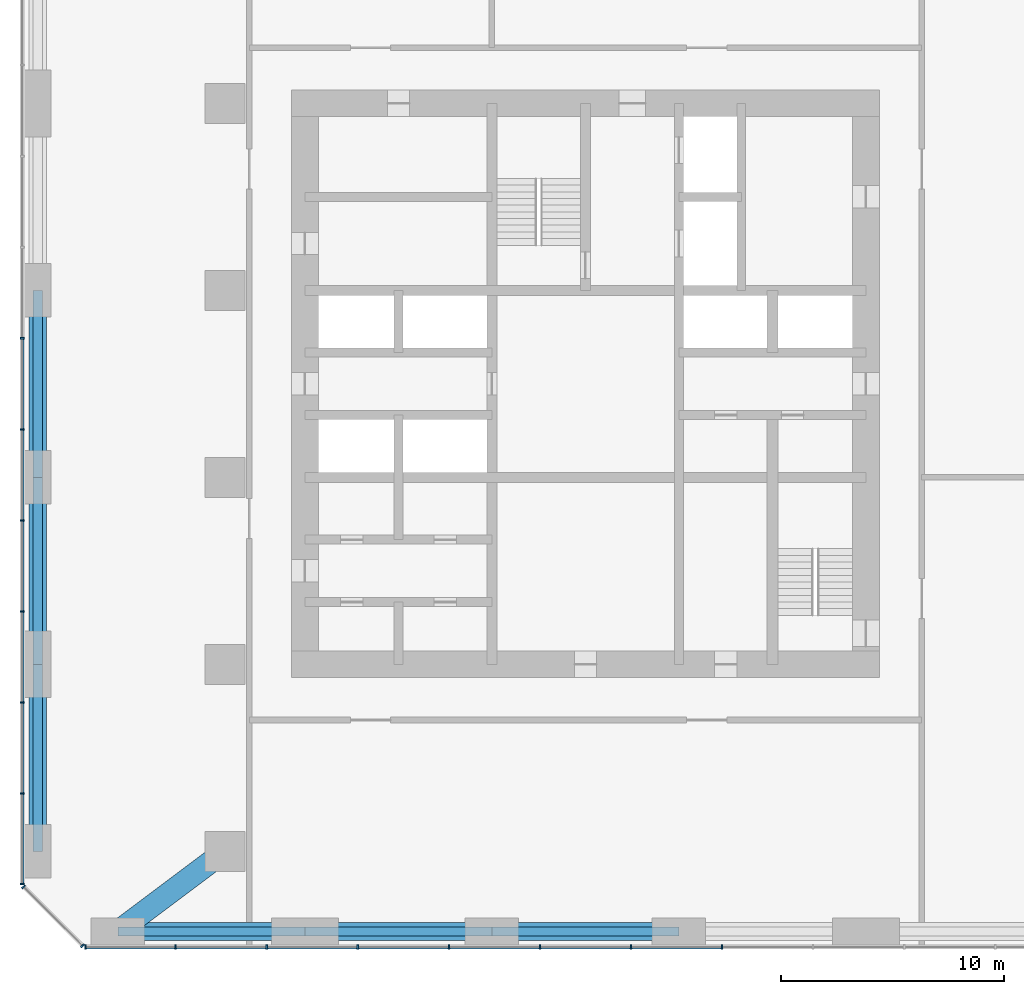
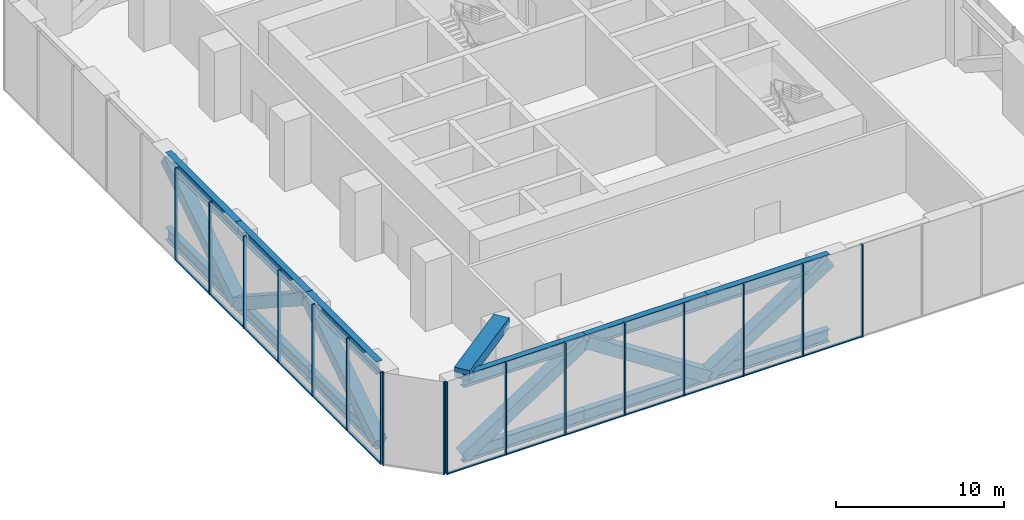
# One storey, part 2 of 10: 48 members, 1 beam, 3 elements without a shape of their own.
"""IFC4 building model written with IfcOpenShell, lengths in metres."""

from ifc_helpers import new_model, si_unit, direction, frame, origin, origin_2d, place, context, subcontext, project, spatial, rectangle, hollow_rectangle, i_section, extrude, material, material_profile, profile_set, type_object, element, aggregate, save


model = new_model("IFC4")

# Units and contexts
model_context = context("Model", 3, precision=1e-05, world=origin(), true_north=direction((0.0, 1.0)))
body_context = subcontext(model_context, "Body", "Model", "MODEL_VIEW")
ifc_project = project(units=[si_unit("LENGTHUNIT", "METRE"), si_unit("AREAUNIT", "SQUARE_METRE"), si_unit("VOLUMEUNIT", "CUBIC_METRE"), si_unit("PLANEANGLEUNIT", "RADIAN"), si_unit("MASSUNIT", "GRAM", prefix="KILO")], contexts=[model_context])

# Site, building, storey
site_placement = place(None, origin())
site = spatial("IfcSite", under=ifc_project, at=site_placement, CompositionType="ELEMENT")
building_placement = place(site_placement, origin())
building = spatial("IfcBuilding", under=site, at=building_placement, Name="Dunama Terrace Hotel", CompositionType="ELEMENT")
storey_placement = place(building_placement, frame((0.0, 0.0, 220.199951171875)))
storey = spatial("IfcBuildingStorey", under=building, at=storey_placement, Name="L57", CompositionType="ELEMENT", Elevation=220.199951171875)

# Members
ifc_material_1 = material(Name="Steel S355", Category="steel")
ifc_material_profile_1 = material_profile(ifc_material_1, hollow_rectangle(XDim=0.800048828125, YDim=0.800048828125, WallThickness=0.06005859375, at=origin_2d()), Name="BOX 800x800x60")
ifc_profile_set_1 = profile_set([ifc_material_profile_1], Name="Steel S355")
member_type_1 = type_object("IfcMemberType", Name="Brace BOX 800x800x60", PredefinedType="BRACE", material=ifc_profile_set_1)
member_1_placement = place(storey_placement, frame((4.800048828125, 8.39990234375, -0.8603515625), z_axis=(0.0, 0.838906226141, 0.544275981229), x_axis=(-1.0, 0.0, 0.0)))
element("IfcMember", 1, at=member_1_placement, inside=storey, type_object=member_type_1, Name="Belt truss diagonal L57", PredefinedType="BRACE", context=body_context, shape_type="SweptSolid", body=[
    extrude(hollow_rectangle(XDim=0.800048828125, YDim=0.800048828125, WallThickness=0.06005859375, at=origin_2d()), origin(), (0.0, 0.0, 1.0), 10.01318359375),
])
member_2_placement = place(storey_placement, frame((4.800048828125, 25.199951171875, -0.8603515625), z_axis=(0.0, -0.83889900313, 0.544287114075), x_axis=(1.0, 0.0, 0.0)))
element("IfcMember", 2, at=member_2_placement, inside=storey, type_object=member_type_1, Name="Belt truss diagonal L57", PredefinedType="BRACE", context=body_context, shape_type="SweptSolid", body=[
    extrude(hollow_rectangle(XDim=0.800048828125, YDim=0.800048828125, WallThickness=0.06005859375, at=origin_2d()), origin(), (0.0, 0.0, 1.0), 10.012939453125),
])
for number, where, z_axis, x_axis, name in (
    (3, (4.800048828125, 25.199951171875, -0.8603515625), (0.0, 0.838906226141, 0.544275981229), (-1.0, 0.0, 0.0), "Belt truss diagonal L57"),
    (4, (8.39990234375, 4.800048828125, -0.8603515625), (0.838906226141, 0.0, 0.544275981229), (0.0, 1.0, 0.0), "Belt truss diagonal L57"),
):
    element("IfcMember", number, at=place(storey_placement, frame(where, z_axis=z_axis, x_axis=x_axis)), inside=storey, type_object=member_type_1, Name=name, PredefinedType="BRACE", context=body_context, shape_type="SweptSolid", body=[
        extrude(hollow_rectangle(XDim=0.800048828125, YDim=0.800048828125, WallThickness=0.06005859375, at=origin_2d()), origin(), (0.0, 0.0, 1.0), 10.01318359375),
    ])
member_3_placement = place(storey_placement, frame((25.199951171875, 4.800048828125, -0.8603515625), z_axis=(-0.83889900313, 0.0, 0.544287114075), x_axis=(0.0, -1.0, 0.0)))
element("IfcMember", 5, at=member_3_placement, inside=storey, type_object=member_type_1, Name="Belt truss diagonal L57", PredefinedType="BRACE", context=body_context, shape_type="SweptSolid", body=[
    extrude(hollow_rectangle(XDim=0.800048828125, YDim=0.800048828125, WallThickness=0.06005859375, at=origin_2d()), origin(), (0.0, 0.0, 1.0), 10.012939453125),
])
member_4_placement = place(storey_placement, frame((25.199951171875, 4.800048828125, -0.8603515625), z_axis=(0.838906226141, 0.0, 0.544275981229), x_axis=(0.0, 1.0, 0.0)))
element("IfcMember", 6, at=member_4_placement, inside=storey, type_object=member_type_1, Name="Belt truss diagonal L57", PredefinedType="BRACE", context=body_context, shape_type="SweptSolid", body=[
    extrude(hollow_rectangle(XDim=0.800048828125, YDim=0.800048828125, WallThickness=0.06005859375, at=origin_2d()), origin(), (0.0, 0.0, 1.0), 10.01318359375),
])

# Curtain wall, members
ifc_material_2 = material(Name="Aluminium curtain wall system", Category="aluminium")
curtain_wall_type = type_object("IfcCurtainWallType", Name="Plant floor louvred glazing CW-G", PredefinedType="NOTDEFINED", material=ifc_material_2)
curtain_wall_1_placement = place(storey_placement, origin())
curtain_wall_1 = element("IfcCurtainWall", 7, at=curtain_wall_1_placement, inside=storey, type_object=curtain_wall_type, Name="Plant floor louvred glazing CW-G L57", PredefinedType="NOTDEFINED")
ifc_material_3 = material(Name="Aluminium mullion", Category="aluminium")
ifc_material_profile_2 = material_profile(ifc_material_3, rectangle(XDim=0.074951171875, YDim=0.199951171875, at=origin_2d()), Name="CWG MULLION 75X200")
ifc_profile_set_2 = profile_set([ifc_material_profile_2], Name="Aluminium mullion")
member_type_2 = type_object("IfcMemberType", Name="CWG mullion 75x200", PredefinedType="MULLION", material=ifc_profile_set_2)
member_5_placement = place(storey_placement, frame((6.93798828125, 4.10009765625, -1.321044921875), z_axis=(0.0, 0.0, 1.0), x_axis=(1.0, 0.0, 0.0)))
member_5 = element("IfcMember", 8, at=member_5_placement, type_object=member_type_2, Name="CWG mullion", PredefinedType="MULLION", context=body_context, shape_type="SweptSolid", body=[
    extrude(rectangle(XDim=0.074951171875, YDim=0.199951171875, at=origin_2d()), origin(), (0.0, 0.0, 1.0), 6.72119140625),
])
member_6_placement = place(storey_placement, frame((10.990966796875, 4.10009765625, -1.321044921875), z_axis=(0.0, 0.0, 1.0), x_axis=(1.0, 0.0, 0.0)))
member_6 = element("IfcMember", 9, at=member_6_placement, type_object=member_type_2, Name="CWG mullion", PredefinedType="MULLION", context=body_context, shape_type="SweptSolid", body=[
    extrude(rectangle(XDim=0.074951171875, YDim=0.199951171875, at=origin_2d()), origin(), (0.0, 0.0, 1.0), 6.72119140625),
])
member_7_placement = place(storey_placement, frame((15.08203125, 4.10009765625, -1.321044921875), z_axis=(0.0, 0.0, 1.0), x_axis=(1.0, 0.0, 0.0)))
member_7 = element("IfcMember", 10, at=member_7_placement, type_object=member_type_2, Name="CWG mullion", PredefinedType="MULLION", context=body_context, shape_type="SweptSolid", body=[
    extrude(rectangle(XDim=0.074951171875, YDim=0.199951171875, at=origin_2d()), origin(), (0.0, 0.0, 1.0), 6.72119140625),
])
member_8_placement = place(storey_placement, frame((19.173095703125, 4.10009765625, -1.321044921875), z_axis=(0.0, 0.0, 1.0), x_axis=(1.0, 0.0, 0.0)))
member_8 = element("IfcMember", 11, at=member_8_placement, type_object=member_type_2, Name="CWG mullion", PredefinedType="MULLION", context=body_context, shape_type="SweptSolid", body=[
    extrude(rectangle(XDim=0.074951171875, YDim=0.199951171875, at=origin_2d()), origin(), (0.0, 0.0, 1.0), 6.72119140625),
])
member_9_placement = place(storey_placement, frame((23.263916015625, 4.10009765625, -1.321044921875), z_axis=(0.0, 0.0, 1.0), x_axis=(1.0, 0.0, 0.0)))
member_9 = element("IfcMember", 12, at=member_9_placement, type_object=member_type_2, Name="CWG mullion", PredefinedType="MULLION", context=body_context, shape_type="SweptSolid", body=[
    extrude(rectangle(XDim=0.074951171875, YDim=0.199951171875, at=origin_2d()), origin(), (0.0, 0.0, 1.0), 6.72119140625),
])
member_10_placement = place(storey_placement, frame((27.35498046875, 4.10009765625, -1.321044921875), z_axis=(0.0, 0.0, 1.0), x_axis=(1.0, 0.0, 0.0)))
member_10 = element("IfcMember", 13, at=member_10_placement, type_object=member_type_2, Name="CWG mullion", PredefinedType="MULLION", context=body_context, shape_type="SweptSolid", body=[
    extrude(rectangle(XDim=0.074951171875, YDim=0.199951171875, at=origin_2d()), origin(), (0.0, 0.0, 1.0), 6.72119140625),
])
member_11_placement = place(storey_placement, frame((31.445068359375, 4.10009765625, -1.321044921875), z_axis=(0.0, 0.0, 1.0), x_axis=(1.0, 0.0, 0.0)))
member_11 = element("IfcMember", 14, at=member_11_placement, type_object=member_type_2, Name="CWG mullion", PredefinedType="MULLION", context=body_context, shape_type="SweptSolid", body=[
    extrude(rectangle(XDim=0.074951171875, YDim=0.199951171875, at=origin_2d()), origin(), (0.0, 0.0, 1.0), 6.72119140625),
])
member_12_placement = place(storey_placement, frame((35.535888671875, 4.10009765625, -1.321044921875), z_axis=(0.0, 0.0, 1.0), x_axis=(1.0, 0.0, 0.0)))
member_12 = element("IfcMember", 15, at=member_12_placement, type_object=member_type_2, Name="CWG mullion", PredefinedType="MULLION", context=body_context, shape_type="SweptSolid", body=[
    extrude(rectangle(XDim=0.074951171875, YDim=0.199951171875, at=origin_2d()), origin(), (0.0, 0.0, 1.0), 6.72119140625),
])

curtain_wall_2_placement = place(storey_placement, origin())
curtain_wall_2 = element("IfcCurtainWall", 16, at=curtain_wall_2_placement, inside=storey, type_object=curtain_wall_type, Name="Plant floor louvred glazing CW-G L57", PredefinedType="NOTDEFINED")
member_13_placement = place(storey_placement, frame((4.10009765625, 31.445068359375, -1.321044921875), z_axis=(0.0, 0.0, 1.0), x_axis=(0.0, -1.0, 0.0)))
member_13 = element("IfcMember", 17, at=member_13_placement, type_object=member_type_2, Name="CWG mullion", PredefinedType="MULLION", context=body_context, shape_type="SweptSolid", body=[
    extrude(rectangle(XDim=0.074951171875, YDim=0.199951171875, at=origin_2d()), origin(), (0.0, 0.0, 1.0), 6.72119140625),
])
member_14_placement = place(storey_placement, frame((4.10009765625, 27.35498046875, -1.321044921875), z_axis=(0.0, 0.0, 1.0), x_axis=(0.0, -1.0, 0.0)))
member_14 = element("IfcMember", 18, at=member_14_placement, type_object=member_type_2, Name="CWG mullion", PredefinedType="MULLION", context=body_context, shape_type="SweptSolid", body=[
    extrude(rectangle(XDim=0.074951171875, YDim=0.199951171875, at=origin_2d()), origin(), (0.0, 0.0, 1.0), 6.72119140625),
])
member_15_placement = place(storey_placement, frame((4.10009765625, 23.263916015625, -1.321044921875), z_axis=(0.0, 0.0, 1.0), x_axis=(0.0, -1.0, 0.0)))
member_15 = element("IfcMember", 19, at=member_15_placement, type_object=member_type_2, Name="CWG mullion", PredefinedType="MULLION", context=body_context, shape_type="SweptSolid", body=[
    extrude(rectangle(XDim=0.074951171875, YDim=0.199951171875, at=origin_2d()), origin(), (0.0, 0.0, 1.0), 6.72119140625),
])
member_16_placement = place(storey_placement, frame((4.10009765625, 19.173095703125, -1.321044921875), z_axis=(0.0, 0.0, 1.0), x_axis=(0.0, -1.0, 0.0)))
member_16 = element("IfcMember", 20, at=member_16_placement, type_object=member_type_2, Name="CWG mullion", PredefinedType="MULLION", context=body_context, shape_type="SweptSolid", body=[
    extrude(rectangle(XDim=0.074951171875, YDim=0.199951171875, at=origin_2d()), origin(), (0.0, 0.0, 1.0), 6.72119140625),
])
member_17_placement = place(storey_placement, frame((4.10009765625, 15.08203125, -1.321044921875), z_axis=(0.0, 0.0, 1.0), x_axis=(0.0, -1.0, 0.0)))
member_17 = element("IfcMember", 21, at=member_17_placement, type_object=member_type_2, Name="CWG mullion", PredefinedType="MULLION", context=body_context, shape_type="SweptSolid", body=[
    extrude(rectangle(XDim=0.074951171875, YDim=0.199951171875, at=origin_2d()), origin(), (0.0, 0.0, 1.0), 6.72119140625),
])
member_18_placement = place(storey_placement, frame((4.10009765625, 10.990966796875, -1.321044921875), z_axis=(0.0, 0.0, 1.0), x_axis=(0.0, -1.0, 0.0)))
member_18 = element("IfcMember", 22, at=member_18_placement, type_object=member_type_2, Name="CWG mullion", PredefinedType="MULLION", context=body_context, shape_type="SweptSolid", body=[
    extrude(rectangle(XDim=0.074951171875, YDim=0.199951171875, at=origin_2d()), origin(), (0.0, 0.0, 1.0), 6.72119140625),
])
member_19_placement = place(storey_placement, frame((4.10009765625, 6.93798828125, -1.321044921875), z_axis=(0.0, 0.0, 1.0), x_axis=(0.0, -1.0, 0.0)))
member_19 = element("IfcMember", 23, at=member_19_placement, type_object=member_type_2, Name="CWG mullion", PredefinedType="MULLION", context=body_context, shape_type="SweptSolid", body=[
    extrude(rectangle(XDim=0.074951171875, YDim=0.199951171875, at=origin_2d()), origin(), (0.0, 0.0, 1.0), 6.72119140625),
])

curtain_wall_3_placement = place(storey_placement, origin())
curtain_wall_3 = element("IfcCurtainWall", 24, at=curtain_wall_3_placement, inside=storey, type_object=curtain_wall_type, Name="Plant floor louvred glazing CW-G L57", PredefinedType="NOTDEFINED")
member_20_placement = place(storey_placement, frame((4.156005859375, 6.802978515625, -1.321044921875), z_axis=(0.0, 0.0, 1.0), x_axis=(0.707106781187, -0.707106781187, 0.0)))
member_20 = element("IfcMember", 25, at=member_20_placement, type_object=member_type_2, Name="CWG mullion", PredefinedType="MULLION", context=body_context, shape_type="SweptSolid", body=[
    extrude(rectangle(XDim=0.074951171875, YDim=0.199951171875, at=origin_2d()), origin(), (0.0, 0.0, 1.0), 6.72119140625),
])
member_21_placement = place(storey_placement, frame((6.802978515625, 4.156005859375, -1.321044921875), z_axis=(0.0, 0.0, 1.0), x_axis=(0.707106781187, -0.707106781187, 0.0)))
member_21 = element("IfcMember", 26, at=member_21_placement, type_object=member_type_2, Name="CWG mullion", PredefinedType="MULLION", context=body_context, shape_type="SweptSolid", body=[
    extrude(rectangle(XDim=0.074951171875, YDim=0.199951171875, at=origin_2d()), origin(), (0.0, 0.0, 1.0), 6.72119140625),
])
aggregate(curtain_wall_3, [member_20, member_21])

# Member
ifc_material_4 = material(Name="Aluminium transom", Category="aluminium")
ifc_material_profile_3 = material_profile(ifc_material_4, rectangle(XDim=0.159912109375, YDim=0.0849609375, at=origin_2d()), Name="CWG TRANSOM 160X85")
ifc_profile_set_3 = profile_set([ifc_material_profile_3], Name="Aluminium transom")
member_type_3 = type_object("IfcMemberType", Name="CWG transom 160x85", PredefinedType="USERDEFINED", material=ifc_profile_set_3)
member_22_placement = place(storey_placement, frame((6.97509765625, 4.10009765625, -1.278564453125), z_axis=(1.0, 0.0, 0.0), x_axis=(0.0, 1.0, 0.0)))
member_22 = element("IfcMember", 27, at=member_22_placement, type_object=member_type_3, Name="CWG transom", ObjectType="TRANSOM", PredefinedType="USERDEFINED", context=body_context, shape_type="SweptSolid", body=[
    extrude(rectangle(XDim=0.159912109375, YDim=0.0849609375, at=origin_2d()), origin(), (0.0, 0.0, 1.0), 3.977783203125),
])

member_23_placement = place(storey_placement, frame((11.028076171875, 4.10009765625, -1.278564453125), z_axis=(1.0, 0.0, 0.0), x_axis=(0.0, 1.0, 0.0)))
member_23 = element("IfcMember", 28, at=member_23_placement, type_object=member_type_3, Name="CWG transom", ObjectType="TRANSOM", PredefinedType="USERDEFINED", context=body_context, shape_type="SweptSolid", body=[
    extrude(rectangle(XDim=0.159912109375, YDim=0.0849609375, at=origin_2d()), origin(), (0.0, 0.0, 1.0), 4.015869140625),
])

member_24_placement = place(storey_placement, frame((15.118896484375, 4.10009765625, -1.278564453125), z_axis=(1.0, 0.0, 0.0), x_axis=(0.0, 1.0, 0.0)))
member_24 = element("IfcMember", 29, at=member_24_placement, type_object=member_type_3, Name="CWG transom", ObjectType="TRANSOM", PredefinedType="USERDEFINED", context=body_context, shape_type="SweptSolid", body=[
    extrude(rectangle(XDim=0.159912109375, YDim=0.0849609375, at=origin_2d()), origin(), (0.0, 0.0, 1.0), 4.01611328125),
])

member_25_placement = place(storey_placement, frame((19.2099609375, 4.10009765625, -1.278564453125), z_axis=(1.0, 0.0, 0.0), x_axis=(0.0, 1.0, 0.0)))
member_25 = element("IfcMember", 30, at=member_25_placement, type_object=member_type_3, Name="CWG transom", ObjectType="TRANSOM", PredefinedType="USERDEFINED", context=body_context, shape_type="SweptSolid", body=[
    extrude(rectangle(XDim=0.159912109375, YDim=0.0849609375, at=origin_2d()), origin(), (0.0, 0.0, 1.0), 4.01611328125),
])

member_26_placement = place(storey_placement, frame((23.301025390625, 4.10009765625, -1.278564453125), z_axis=(1.0, 0.0, 0.0), x_axis=(0.0, 1.0, 0.0)))
member_26 = element("IfcMember", 31, at=member_26_placement, type_object=member_type_3, Name="CWG transom", ObjectType="TRANSOM", PredefinedType="USERDEFINED", context=body_context, shape_type="SweptSolid", body=[
    extrude(rectangle(XDim=0.159912109375, YDim=0.0849609375, at=origin_2d()), origin(), (0.0, 0.0, 1.0), 4.015869140625),
])

member_27_placement = place(storey_placement, frame((27.39208984375, 4.10009765625, -1.278564453125), z_axis=(1.0, 0.0, 0.0), x_axis=(0.0, 1.0, 0.0)))
member_27 = element("IfcMember", 32, at=member_27_placement, type_object=member_type_3, Name="CWG transom", ObjectType="TRANSOM", PredefinedType="USERDEFINED", context=body_context, shape_type="SweptSolid", body=[
    extrude(rectangle(XDim=0.159912109375, YDim=0.0849609375, at=origin_2d()), origin(), (0.0, 0.0, 1.0), 4.015869140625),
])

member_28_placement = place(storey_placement, frame((31.48291015625, 4.10009765625, -1.278564453125), z_axis=(1.0, 0.0, 0.0), x_axis=(0.0, 1.0, 0.0)))
member_28 = element("IfcMember", 33, at=member_28_placement, type_object=member_type_3, Name="CWG transom", ObjectType="TRANSOM", PredefinedType="USERDEFINED", context=body_context, shape_type="SweptSolid", body=[
    extrude(rectangle(XDim=0.159912109375, YDim=0.0849609375, at=origin_2d()), origin(), (0.0, 0.0, 1.0), 4.01611328125),
])

aggregate(curtain_wall_1, [member_5, member_6, member_7, member_8, member_9, member_10, member_11, member_12, member_22, member_23, member_24, member_25, member_26, member_27, member_28])

member_29_placement = place(storey_placement, frame((4.10009765625, 31.407958984375, -1.278564453125), z_axis=(0.0, -1.0, 0.0), x_axis=(1.0, 0.0, 0.0)))
member_29 = element("IfcMember", 34, at=member_29_placement, type_object=member_type_3, Name="CWG transom", ObjectType="TRANSOM", PredefinedType="USERDEFINED", context=body_context, shape_type="SweptSolid", body=[
    extrude(rectangle(XDim=0.159912109375, YDim=0.0849609375, at=origin_2d()), origin(), (0.0, 0.0, 1.0), 4.015869140625),
])

member_30_placement = place(storey_placement, frame((4.10009765625, 27.31689453125, -1.278564453125), z_axis=(0.0, -1.0, 0.0), x_axis=(1.0, 0.0, 0.0)))
member_30 = element("IfcMember", 35, at=member_30_placement, type_object=member_type_3, Name="CWG transom", ObjectType="TRANSOM", PredefinedType="USERDEFINED", context=body_context, shape_type="SweptSolid", body=[
    extrude(rectangle(XDim=0.159912109375, YDim=0.0849609375, at=origin_2d()), origin(), (0.0, 0.0, 1.0), 4.015869140625),
])

member_31_placement = place(storey_placement, frame((4.10009765625, 23.22607421875, -1.278564453125), z_axis=(0.0, -1.0, 0.0), x_axis=(1.0, 0.0, 0.0)))
member_31 = element("IfcMember", 36, at=member_31_placement, type_object=member_type_3, Name="CWG transom", ObjectType="TRANSOM", PredefinedType="USERDEFINED", context=body_context, shape_type="SweptSolid", body=[
    extrude(rectangle(XDim=0.159912109375, YDim=0.0849609375, at=origin_2d()), origin(), (0.0, 0.0, 1.0), 4.01611328125),
])

member_32_placement = place(storey_placement, frame((4.10009765625, 19.135009765625, -1.278564453125), z_axis=(0.0, -1.0, 0.0), x_axis=(1.0, 0.0, 0.0)))
member_32 = element("IfcMember", 37, at=member_32_placement, type_object=member_type_3, Name="CWG transom", ObjectType="TRANSOM", PredefinedType="USERDEFINED", context=body_context, shape_type="SweptSolid", body=[
    extrude(rectangle(XDim=0.159912109375, YDim=0.0849609375, at=origin_2d()), origin(), (0.0, 0.0, 1.0), 4.01611328125),
])

member_33_placement = place(storey_placement, frame((4.10009765625, 15.0439453125, -1.278564453125), z_axis=(0.0, -1.0, 0.0), x_axis=(1.0, 0.0, 0.0)))
member_33 = element("IfcMember", 38, at=member_33_placement, type_object=member_type_3, Name="CWG transom", ObjectType="TRANSOM", PredefinedType="USERDEFINED", context=body_context, shape_type="SweptSolid", body=[
    extrude(rectangle(XDim=0.159912109375, YDim=0.0849609375, at=origin_2d()), origin(), (0.0, 0.0, 1.0), 4.015869140625),
])

member_34_placement = place(storey_placement, frame((4.10009765625, 10.952880859375, -1.278564453125), z_axis=(0.0, -1.0, 0.0), x_axis=(1.0, 0.0, 0.0)))
member_34 = element("IfcMember", 39, at=member_34_placement, type_object=member_type_3, Name="CWG transom", ObjectType="TRANSOM", PredefinedType="USERDEFINED", context=body_context, shape_type="SweptSolid", body=[
    extrude(rectangle(XDim=0.159912109375, YDim=0.0849609375, at=origin_2d()), origin(), (0.0, 0.0, 1.0), 3.977783203125),
])

aggregate(curtain_wall_2, [member_13, member_14, member_15, member_16, member_17, member_18, member_19, member_29, member_30, member_31, member_32, member_33, member_34])

# Beam
ifc_material_5 = material(Name="Concrete C50/60", Category="concrete")
ifc_material_profile_4 = material_profile(ifc_material_5, rectangle(XDim=1.0, YDim=0.75, at=origin_2d()), Name="RC 1000x750")
ifc_profile_set_4 = profile_set([ifc_material_profile_4], Name="Concrete C50/60")
beam_type = type_object("IfcBeamType", Name="Edge beam RC 1000x750", PredefinedType="SPANDREL", material=ifc_profile_set_4)
beam_placement = place(storey_placement, frame((8.39990234375, 4.800048828125, 5.025146484375), z_axis=(0.800014648318, 0.599980468412, 0.0), x_axis=(-0.599980468412, 0.800014648318, 0.0)))
element("IfcBeam", 40, at=beam_placement, inside=storey, type_object=beam_type, Name="Corner edge beam under L58", PredefinedType="SPANDREL", context=body_context, shape_type="SweptSolid", body=[
    extrude(rectangle(XDim=1.0, YDim=0.75, at=origin_2d()), origin(), (0.0, 0.0, 1.0), 6.0),
])

# Members
ifc_material_6 = material(Name="Steel S355", Category="steel")
ifc_material_profile_5 = material_profile(ifc_material_6, i_section(OverallWidth=0.42041015625, OverallDepth=0.9208984375, WebThickness=0.021484375, FlangeThickness=0.03662109375, FilletRadius=0.024169921875, at=origin_2d()), Name="UB 914x419x388")
ifc_profile_set_5 = profile_set([ifc_material_profile_5], Name="Steel S355")
member_type_4 = type_object("IfcMemberType", Name="Truss member UB 914x419x388", PredefinedType="CHORD", material=ifc_profile_set_5)
for number, where, z_axis, x_axis, name in (
    (41, (4.800048828125, 8.39990234375, 4.589599609375), (0.0, 1.0, 0.0), (-1.0, 0.0, 0.0), "Belt truss top chord L57"),
    (42, (4.800048828125, 8.39990234375, -0.8603515625), (0.0, 1.0, 0.0), (-1.0, 0.0, 0.0), "Belt truss bottom chord L57"),
):
    element("IfcMember", number, at=place(storey_placement, frame(where, z_axis=z_axis, x_axis=x_axis)), inside=storey, type_object=member_type_4, Name=name, PredefinedType="CHORD", context=body_context, shape_type="SweptSolid", body=[
        extrude(i_section(OverallWidth=0.42041015625, OverallDepth=0.9208984375, WebThickness=0.021484375, FlangeThickness=0.03662109375, FilletRadius=0.024169921875, at=origin_2d()), origin(), (0.0, 0.0, 1.0), 8.400146484375),
    ])
for number, where, z_axis, x_axis, name in (
    (43, (4.800048828125, 16.800048828125, 4.589599609375), (0.0, 1.0, 0.0), (-1.0, 0.0, 0.0), "Belt truss top chord L57"),
    (44, (4.800048828125, 16.800048828125, -0.8603515625), (0.0, 1.0, 0.0), (-1.0, 0.0, 0.0), "Belt truss bottom chord L57"),
):
    element("IfcMember", number, at=place(storey_placement, frame(where, z_axis=z_axis, x_axis=x_axis)), inside=storey, type_object=member_type_4, Name=name, PredefinedType="CHORD", context=body_context, shape_type="SweptSolid", body=[
        extrude(i_section(OverallWidth=0.42041015625, OverallDepth=0.9208984375, WebThickness=0.021484375, FlangeThickness=0.03662109375, FilletRadius=0.024169921875, at=origin_2d()), origin(), (0.0, 0.0, 1.0), 8.39990234375),
    ])
for number, where, z_axis, x_axis, name in (
    (45, (4.800048828125, 25.199951171875, 4.589599609375), (0.0, 1.0, 0.0), (-1.0, 0.0, 0.0), "Belt truss top chord L57"),
    (46, (4.800048828125, 25.199951171875, -0.8603515625), (0.0, 1.0, 0.0), (-1.0, 0.0, 0.0), "Belt truss bottom chord L57"),
    (47, (8.39990234375, 4.800048828125, 4.589599609375), (1.0, 0.0, 0.0), (0.0, 1.0, 0.0), "Belt truss top chord L57"),
    (48, (8.39990234375, 4.800048828125, -0.8603515625), (1.0, 0.0, 0.0), (0.0, 1.0, 0.0), "Belt truss bottom chord L57"),
):
    element("IfcMember", number, at=place(storey_placement, frame(where, z_axis=z_axis, x_axis=x_axis)), inside=storey, type_object=member_type_4, Name=name, PredefinedType="CHORD", context=body_context, shape_type="SweptSolid", body=[
        extrude(i_section(OverallWidth=0.42041015625, OverallDepth=0.9208984375, WebThickness=0.021484375, FlangeThickness=0.03662109375, FilletRadius=0.024169921875, at=origin_2d()), origin(), (0.0, 0.0, 1.0), 8.400146484375),
    ])
for number, where, z_axis, x_axis, name in (
    (49, (16.800048828125, 4.800048828125, 4.589599609375), (1.0, 0.0, 0.0), (0.0, 1.0, 0.0), "Belt truss top chord L57"),
    (50, (16.800048828125, 4.800048828125, -0.8603515625), (1.0, 0.0, 0.0), (0.0, 1.0, 0.0), "Belt truss bottom chord L57"),
):
    element("IfcMember", number, at=place(storey_placement, frame(where, z_axis=z_axis, x_axis=x_axis)), inside=storey, type_object=member_type_4, Name=name, PredefinedType="CHORD", context=body_context, shape_type="SweptSolid", body=[
        extrude(i_section(OverallWidth=0.42041015625, OverallDepth=0.9208984375, WebThickness=0.021484375, FlangeThickness=0.03662109375, FilletRadius=0.024169921875, at=origin_2d()), origin(), (0.0, 0.0, 1.0), 8.39990234375),
    ])
for number, where, z_axis, x_axis, name in (
    (51, (25.199951171875, 4.800048828125, 4.589599609375), (1.0, 0.0, 0.0), (0.0, 1.0, 0.0), "Belt truss top chord L57"),
    (52, (25.199951171875, 4.800048828125, -0.8603515625), (1.0, 0.0, 0.0), (0.0, 1.0, 0.0), "Belt truss bottom chord L57"),
):
    element("IfcMember", number, at=place(storey_placement, frame(where, z_axis=z_axis, x_axis=x_axis)), inside=storey, type_object=member_type_4, Name=name, PredefinedType="CHORD", context=body_context, shape_type="SweptSolid", body=[
        extrude(i_section(OverallWidth=0.42041015625, OverallDepth=0.9208984375, WebThickness=0.021484375, FlangeThickness=0.03662109375, FilletRadius=0.024169921875, at=origin_2d()), origin(), (0.0, 0.0, 1.0), 8.400146484375),
    ])

save(model, "model.ifc")
